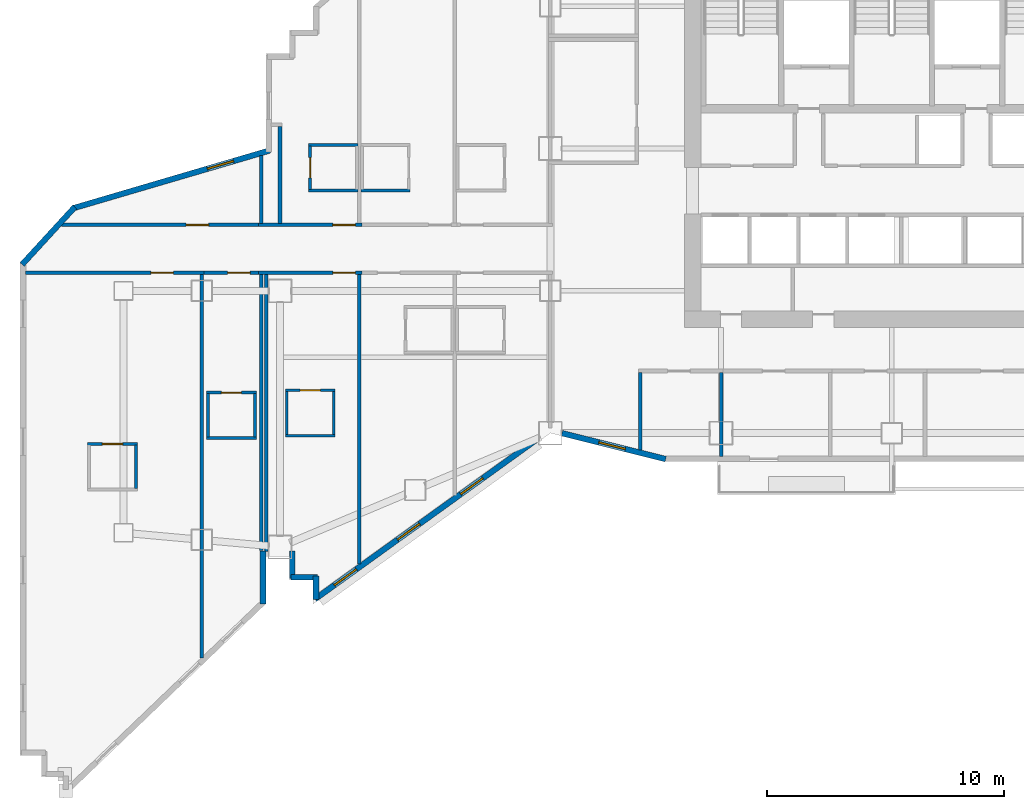
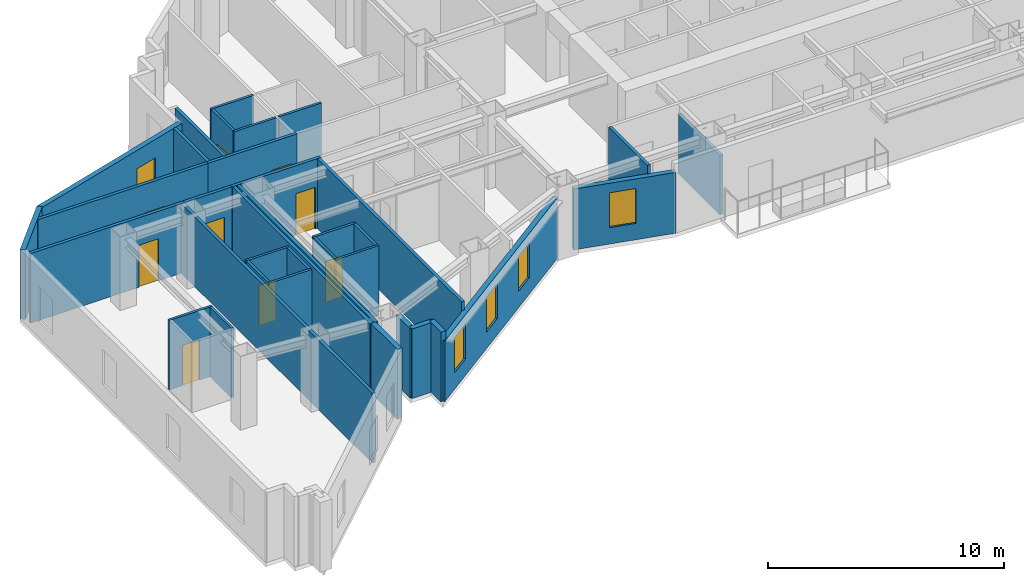
# One storey, part 6 of 16: 35 walls, 9 doors, 5 windows, 14 openings.
"""IFC4 building model written with IfcOpenShell, lengths in metres."""

from ifc_helpers import new_model, si_unit, direction, frame, frame_2d, origin, place, context, subcontext, project, spatial, rectangle, extrude, material, layer, layer_set, type_object, element, fill, save


model = new_model("IFC4")

# Units and contexts
model_context = context("Model", 3, precision=1e-05, world=origin(), true_north=direction((0.0, 1.0)))
body_context = subcontext(model_context, "Body", "Model", "MODEL_VIEW")
ifc_project = project(units=[si_unit("LENGTHUNIT", "METRE"), si_unit("AREAUNIT", "SQUARE_METRE"), si_unit("VOLUMEUNIT", "CUBIC_METRE"), si_unit("PLANEANGLEUNIT", "RADIAN"), si_unit("MASSUNIT", "GRAM", prefix="KILO")], contexts=[model_context])

# Site, building, storey
site_placement = place(None, origin())
site = spatial("IfcSite", under=ifc_project, at=site_placement, CompositionType="ELEMENT")
building_placement = place(site_placement, origin())
building = spatial("IfcBuilding", under=site, at=building_placement, Name="Haolan Belvedere Tower", CompositionType="ELEMENT")
storey_placement = place(building_placement, frame((0.0, 0.0, 125.0)))
storey = spatial("IfcBuildingStorey", under=building, at=storey_placement, Name="L31", CompositionType="ELEMENT", Elevation=125.0)

# Walls
ifc_material_1 = material(Name="Precast concrete C40/50", Category="concrete")
ifc_layer_1 = layer(ifc_material_1, 0.239990234375, Name="Precast concrete C40/50")
ifc_layer_set_1 = layer_set([ifc_layer_1], Name="Precast concrete C40/50")
wall_type_1 = type_object("IfcWallType", Name="WL-EXT-240", PredefinedType="SOLIDWALL", material=ifc_layer_set_1)
wall_1_placement = place(storey_placement, frame((13.1201171875, 16.639892578125, 0.0), z_axis=(0.0, 0.0, 1.0), x_axis=(0.0, -1.0, 0.0)))
element("IfcWall", 1, at=wall_1_placement, inside=storey, type_object=wall_type_1, Name="L31 pale-metal exterior spandrel wall 2.1", PredefinedType="SOLIDWALL", context=body_context, shape_type="SweptSolid", body=[
    extrude(rectangle(XDim=1.1748046875, YDim=0.239990234375, at=frame_2d((0.58740234375, 0.0))), origin(), (0.0, 0.0, 1.0), 3.60009765625),
])
wall_2_placement = place(storey_placement, frame((13.06494140625, 15.52001953125, 0.0), z_axis=(0.0, 0.0, 1.0), x_axis=(1.0, 0.0, 0.0)))
element("IfcWall", 2, at=wall_2_placement, inside=storey, type_object=wall_type_1, Name="L31 pale-metal exterior spandrel wall 3.1", PredefinedType="SOLIDWALL", context=body_context, shape_type="SweptSolid", body=[
    extrude(rectangle(XDim=1.110107421875, YDim=0.239990234375, at=frame_2d((0.55517578125, 0.0))), origin(), (0.0, 0.0, 1.0), 3.60009765625),
])
wall_3_placement = place(storey_placement, frame((14.1201171875, 15.574951171875, 0.0), z_axis=(0.0, 0.0, 1.0), x_axis=(0.0, -1.0, 0.0)))
element("IfcWall", 3, at=wall_3_placement, inside=storey, type_object=wall_type_1, Name="L31 pale-metal exterior spandrel wall 4.1", PredefinedType="SOLIDWALL", context=body_context, shape_type="SweptSolid", body=[
    extrude(rectangle(XDim=0.99560546875, YDim=0.239990234375, at=frame_2d((0.497802734375, 0.0))), origin(), (0.0, 0.0, 1.0), 3.60009765625),
])

# Wall, openings, windows
wall_4_placement = place(storey_placement, frame((14.075439453125, 14.602294921875, 0.0), z_axis=(0.0, 0.0, 1.0), x_axis=(0.811543504691, 0.584291998913, 0.0)))
wall_4 = element("IfcWall", 4, at=wall_4_placement, inside=storey, type_object=wall_type_1, Name="L31 pale-metal exterior spandrel wall 5.1", PredefinedType="SOLIDWALL", context=body_context, shape_type="SweptSolid", body=[
    extrude(rectangle(XDim=11.623046875, YDim=0.239990234375, at=frame_2d((5.8115234375, 0.0))), origin(), (0.0, 0.0, 1.0), 3.14501953125),
])
opening_1_placement = place(wall_4_placement, frame((1.00048828125, 0.0, 0.85009765625)))
opening_1 = element("IfcOpeningElement", 5, at=opening_1_placement, cuts=wall_4, Name="Opening W-02", PredefinedType="OPENING", context=body_context, shape_type="SweptSolid", body=[
    extrude(rectangle(XDim=1.14990234375, YDim=1.800048828125, at=frame_2d((0.574951171875, 0.89990234375))), frame((0.0, 0.1298828125, 0.0), z_axis=(0.0, -1.0, 0.0), x_axis=(1.0, 0.0, 0.0)), (0.0, 0.0, 1.0), 0.260009765625),
])
opening_2_placement = place(wall_4_placement, frame((7.57421875, 0.0, 0.85009765625)))
opening_2 = element("IfcOpeningElement", 6, at=opening_2_placement, cuts=wall_4, Name="Opening W-02", PredefinedType="OPENING", context=body_context, shape_type="SweptSolid", body=[
    extrude(rectangle(XDim=1.14990234375, YDim=1.800048828125, at=frame_2d((0.574951171875, 0.89990234375))), frame((0.0, 0.1298828125, 0.0), z_axis=(0.0, -1.0, 0.0), x_axis=(1.0, 0.0, 0.0)), (0.0, 0.0, 1.0), 0.260009765625),
])
opening_3_placement = place(wall_4_placement, frame((4.287353515625, 0.0, 0.85009765625)))
opening_3 = element("IfcOpeningElement", 7, at=opening_3_placement, cuts=wall_4, Name="Opening W-02", PredefinedType="OPENING", context=body_context, shape_type="SweptSolid", body=[
    extrude(rectangle(XDim=1.14990234375, YDim=1.800048828125, at=frame_2d((0.574951171875, 0.89990234375))), frame((0.0, 0.1298828125, 0.0), z_axis=(0.0, -1.0, 0.0), x_axis=(1.0, 0.0, 0.0)), (0.0, 0.0, 1.0), 0.260009765625),
])
ifc_material_2 = material(Name="Anodised aluminium 6063-T6 and Low-E glass", Category="aluminium")
window_type = type_object("IfcWindowType", Name="WN-DECO-Z2", PartitioningType="SINGLE_PANEL", PredefinedType="WINDOW", material=ifc_material_2)
window_1_placement = place(opening_1_placement, origin())
window_1 = element("IfcWindow", 8, at=window_1_placement, inside=storey, type_object=window_type, Name="L31 Art Deco chevron window 1", OverallHeight=1.800048828125, OverallWidth=1.14990234375, PartitioningType="SINGLE_PANEL", PredefinedType="WINDOW", context=body_context, shape_type="SweptSolid", body=[
    extrude(rectangle(XDim=1.14990234375, YDim=1.800048828125, at=frame_2d((0.574951171875, 0.89990234375))), frame((0.0, 0.030029296875, 0.0), z_axis=(0.0, -1.0, 0.0), x_axis=(1.0, 0.0, 0.0)), (0.0, 0.0, 1.0), 0.06005859375),
])
fill(opening_1, window_1)
window_2_placement = place(opening_2_placement, origin())
window_2 = element("IfcWindow", 9, at=window_2_placement, inside=storey, type_object=window_type, Name="L31 Art Deco chevron window 2", OverallHeight=1.800048828125, OverallWidth=1.14990234375, PartitioningType="SINGLE_PANEL", PredefinedType="WINDOW", context=body_context, shape_type="SweptSolid", body=[
    extrude(rectangle(XDim=1.14990234375, YDim=1.800048828125, at=frame_2d((0.574951171875, 0.89990234375))), frame((0.0, 0.030029296875, 0.0), z_axis=(0.0, -1.0, 0.0), x_axis=(1.0, 0.0, 0.0)), (0.0, 0.0, 1.0), 0.06005859375),
])
fill(opening_2, window_2)
window_3_placement = place(opening_3_placement, origin())
window_3 = element("IfcWindow", 10, at=window_3_placement, inside=storey, type_object=window_type, Name="L31 Art Deco guestroom window 1", OverallHeight=1.800048828125, OverallWidth=1.14990234375, PartitioningType="SINGLE_PANEL", PredefinedType="WINDOW", context=body_context, shape_type="SweptSolid", body=[
    extrude(rectangle(XDim=1.14990234375, YDim=1.800048828125, at=frame_2d((0.574951171875, 0.89990234375))), frame((0.0, 0.030029296875, 0.0), z_axis=(0.0, -1.0, 0.0), x_axis=(1.0, 0.0, 0.0)), (0.0, 0.0, 1.0), 0.06005859375),
])
fill(opening_3, window_3)

# Wall, opening, window
wall_5_placement = place(storey_placement, frame((24.491943359375, 21.6005859375, 0.0), z_axis=(0.0, 0.0, 1.0), x_axis=(0.970145683738, -0.242522890311, 0.0)))
wall_5 = element("IfcWall", 11, at=wall_5_placement, inside=storey, type_object=wall_type_1, Name="L31 pale-metal exterior spandrel wall 6.1", PredefinedType="SOLIDWALL", context=body_context, shape_type="SweptSolid", body=[
    extrude(rectangle(XDim=4.510986328125, YDim=0.239990234375, at=frame_2d((2.25537109375, 0.0))), origin(), (0.0, 0.0, 1.0), 3.14501953125),
])
opening_4_placement = place(wall_5_placement, frame((1.60009765625, 0.0, 0.85009765625)))
opening_4 = element("IfcOpeningElement", 12, at=opening_4_placement, cuts=wall_5, Name="Opening W-02", PredefinedType="OPENING", context=body_context, shape_type="SweptSolid", body=[
    extrude(rectangle(XDim=1.14990234375, YDim=1.800048828125, at=frame_2d((0.574951171875, 0.89990234375))), frame((0.0, 0.1298828125, 0.0), z_axis=(0.0, -1.0, 0.0), x_axis=(1.0, 0.0, 0.0)), (0.0, 0.0, 1.0), 0.260009765625),
])
window_4_placement = place(opening_4_placement, origin())
window_4 = element("IfcWindow", 13, at=window_4_placement, inside=storey, type_object=window_type, Name="L31 Art Deco chevron window 1", OverallHeight=1.800048828125, OverallWidth=1.14990234375, PartitioningType="SINGLE_PANEL", PredefinedType="WINDOW", context=body_context, shape_type="SweptSolid", body=[
    extrude(rectangle(XDim=1.14990234375, YDim=1.800048828125, at=frame_2d((0.574951171875, 0.89990234375))), frame((0.0, 0.030029296875, 0.0), z_axis=(0.0, -1.0, 0.0), x_axis=(1.0, 0.0, 0.0)), (0.0, 0.0, 1.0), 0.06005859375),
])
fill(opening_4, window_4)

wall_6_placement = place(storey_placement, frame((12.1728515625, 33.525634765625, 0.0), z_axis=(0.0, 0.0, 1.0), x_axis=(-0.959372673811, -0.28214193723, 0.0)))
wall_6 = element("IfcWall", 14, at=wall_6_placement, inside=storey, type_object=wall_type_1, Name="L31 pale-metal exterior spandrel wall 42.1", PredefinedType="SOLIDWALL", context=body_context, shape_type="SweptSolid", body=[
    extrude(rectangle(XDim=8.672119140625, YDim=0.239990234375, at=frame_2d((4.3359375, 0.0))), origin(), (0.0, 0.0, 1.0), 3.60009765625),
])
opening_5_placement = place(wall_6_placement, frame((1.60009765625, 0.0, 0.85009765625)))
opening_5 = element("IfcOpeningElement", 15, at=opening_5_placement, cuts=wall_6, Name="Opening W-02", PredefinedType="OPENING", context=body_context, shape_type="SweptSolid", body=[
    extrude(rectangle(XDim=1.14990234375, YDim=1.800048828125, at=frame_2d((0.574951171875, 0.89990234375))), frame((0.0, 0.1298828125, 0.0), z_axis=(0.0, -1.0, 0.0), x_axis=(1.0, 0.0, 0.0)), (0.0, 0.0, 1.0), 0.260009765625),
])
window_5_placement = place(opening_5_placement, origin())
window_5 = element("IfcWindow", 16, at=window_5_placement, inside=storey, type_object=window_type, Name="L31 Art Deco chevron window 1", OverallHeight=1.800048828125, OverallWidth=1.14990234375, PartitioningType="SINGLE_PANEL", PredefinedType="WINDOW", context=body_context, shape_type="SweptSolid", body=[
    extrude(rectangle(XDim=1.14990234375, YDim=1.800048828125, at=frame_2d((0.574951171875, 0.89990234375))), frame((0.0, 0.030029296875, 0.0), z_axis=(0.0, -1.0, 0.0), x_axis=(1.0, 0.0, 0.0)), (0.0, 0.0, 1.0), 0.06005859375),
])
fill(opening_5, window_5)

# Walls
wall_7_placement = place(storey_placement, frame((3.943115234375, 31.134765625, 0.0), z_axis=(0.0, 0.0, 1.0), x_axis=(-0.675751546976, -0.737129464042, 0.0)))
element("IfcWall", 17, at=wall_7_placement, inside=storey, type_object=wall_type_1, Name="L31 pale-metal exterior spandrel wall 43.1", PredefinedType="SOLIDWALL", context=body_context, shape_type="SweptSolid", body=[
    extrude(rectangle(XDim=3.28564453125, YDim=0.239990234375, at=frame_2d((1.642822265625, 0.0))), origin(), (0.0, 0.0, 1.0), 3.60009765625),
])
wall_8_placement = place(storey_placement, frame((11.8798828125, 14.396240234375, 0.0), z_axis=(0.0, 0.0, 1.0), x_axis=(0.0, 1.0, 0.0)))
element("IfcWall", 18, at=wall_8_placement, inside=storey, type_object=wall_type_1, Name="L31 pale-metal exterior spandrel wall 50.1", PredefinedType="SOLIDWALL", context=body_context, shape_type="SweptSolid", body=[
    extrude(rectangle(XDim=2.24365234375, YDim=0.239990234375, at=frame_2d((1.121826171875, 0.0))), origin(), (0.0, 0.0, 1.0), 3.60009765625),
])
ifc_material_3 = material(Name="Double gypsum acoustic stud partition", Category="masonry")
ifc_layer_2 = layer(ifc_material_3, 0.14990234375, Name="Double gypsum acoustic stud partition")
ifc_layer_set_2 = layer_set([ifc_layer_2], Name="Double gypsum acoustic stud partition")
wall_type_2 = type_object("IfcWallType", Name="WL-PART-150", PredefinedType="PARTITIONING", material=ifc_layer_set_2)
wall_9_placement = place(storey_placement, frame((27.800048828125, 20.882080078125, 0.0), z_axis=(0.0, 0.0, 1.0), x_axis=(0.0, 1.0, 0.0)))
element("IfcWall", 19, at=wall_9_placement, inside=storey, type_object=wall_type_2, Name="L31 interior partition IW-L31-KS2-W", PredefinedType="PARTITIONING", context=body_context, shape_type="SweptSolid", body=[
    extrude(rectangle(XDim=3.27783203125, YDim=0.14990234375, at=frame_2d((1.638916015625, 0.0))), origin(), (0.0, 0.0, 1.0), 3.60009765625),
])
wall_10_placement = place(storey_placement, frame((31.199951171875, 20.625, 0.0), z_axis=(0.0, 0.0, 1.0), x_axis=(0.0, 1.0, 0.0)))
element("IfcWall", 20, at=wall_10_placement, inside=storey, type_object=wall_type_2, Name="L31 interior partition IW-L31-KS2-E", PredefinedType="PARTITIONING", context=body_context, shape_type="SweptSolid", body=[
    extrude(rectangle(XDim=3.534912109375, YDim=0.14990234375, at=frame_2d((1.767578125, 0.0))), origin(), (0.0, 0.0, 1.0), 3.0849609375),
])

# Wall, opening, door
wall_11_placement = place(storey_placement, frame((11.699951171875, 30.3798828125, 0.0), z_axis=(0.0, 0.0, 1.0), x_axis=(1.0, 0.0, 0.0)))
wall_11 = element("IfcWall", 21, at=wall_11_placement, inside=storey, type_object=wall_type_2, Name="L31 interior partition IW-L31-T2N1-S", PredefinedType="PARTITIONING", context=body_context, shape_type="SweptSolid", body=[
    extrude(rectangle(XDim=4.35009765625, YDim=0.14990234375, at=frame_2d((2.175048828125, 0.0))), origin(), (0.0, 0.0, 1.0), 3.60009765625),
])
opening_6_placement = place(wall_11_placement, frame((3.1298828125, 0.0, 0.0)))
opening_6 = element("IfcOpeningElement", 22, at=opening_6_placement, cuts=wall_11, Name="Opening ID-02", PredefinedType="OPENING", context=body_context, shape_type="SweptSolid", body=[
    extrude(rectangle(XDim=0.949951171875, YDim=2.14990234375, at=frame_2d((0.47509765625, 1.074951171875))), frame((0.0, 0.0849609375, 0.0), z_axis=(0.0, -1.0, 0.0), x_axis=(1.0, 0.0, 0.0)), (0.0, 0.0, 1.0), 0.169921875),
])
ifc_material_4 = material(Name="Acoustic oak veneer fire-rated timber", Category="wood")
door_type_1 = type_object("IfcDoorType", Name="DR-GUEST-950", OperationType="NOTDEFINED", PredefinedType="DOOR", material=ifc_material_4)
door_1_placement = place(opening_6_placement, origin())
door_1 = element("IfcDoor", 23, at=door_1_placement, inside=storey, type_object=door_type_1, Name="L31 door ID-L31-T2N1-ENT", OperationType="SINGLE_SWING_RIGHT", OverallHeight=2.14990234375, OverallWidth=0.949951171875, PredefinedType="DOOR", context=body_context, shape_type="SweptSolid", body=[
    extrude(rectangle(XDim=0.949951171875, YDim=2.14990234375, at=frame_2d((0.47509765625, 1.074951171875))), frame((0.0, 0.02490234375, 0.0), z_axis=(0.0, -1.0, 0.0), x_axis=(1.0, 0.0, 0.0)), (0.0, 0.0, 1.0), 0.050048828125),
])
fill(opening_6, door_1)

# Wall
wall_12_placement = place(storey_placement, frame((11.800048828125, 30.43994140625, 0.0), z_axis=(0.0, 0.0, 1.0), x_axis=(0.0, 1.0, 0.0)))
element("IfcWall", 24, at=wall_12_placement, inside=storey, type_object=wall_type_2, Name="L31 interior partition IW-L31-T2N1-W", PredefinedType="PARTITIONING", context=body_context, shape_type="SweptSolid", body=[
    extrude(rectangle(XDim=2.86669921875, YDim=0.14990234375, at=frame_2d((1.433349609375, 0.0))), origin(), (0.0, 0.0, 1.0), 3.60009765625),
])

# Wall, opening, door
wall_13_placement = place(storey_placement, frame((11.699951171875, 28.3701171875, 0.0), z_axis=(0.0, 0.0, 1.0), x_axis=(1.0, 0.0, 0.0)))
wall_13 = element("IfcWall", 25, at=wall_13_placement, inside=storey, type_object=wall_type_2, Name="L31 interior partition IW-L31-T2S1-N", PredefinedType="PARTITIONING", context=body_context, shape_type="SweptSolid", body=[
    extrude(rectangle(XDim=4.35009765625, YDim=0.14990234375, at=frame_2d((2.175048828125, 0.0))), origin(), (0.0, 0.0, 1.0), 3.60009765625),
])
opening_7_placement = place(wall_13_placement, frame((4.079833984375, 0.0, 0.0), z_axis=(0.0, 0.0, 1.0), x_axis=(-1.0, 0.0, 0.0)))
opening_7 = element("IfcOpeningElement", 26, at=opening_7_placement, cuts=wall_13, Name="Opening ID-02", PredefinedType="OPENING", context=body_context, shape_type="SweptSolid", body=[
    extrude(rectangle(XDim=0.949951171875, YDim=2.14990234375, at=frame_2d((0.47509765625, 1.074951171875))), frame((0.0, 0.0849609375, 0.0), z_axis=(0.0, -1.0, 0.0), x_axis=(1.0, 0.0, 0.0)), (0.0, 0.0, 1.0), 0.169921875),
])
door_2_placement = place(opening_7_placement, origin())
door_2 = element("IfcDoor", 27, at=door_2_placement, inside=storey, type_object=door_type_1, Name="L31 door ID-L31-T2S1-ENT", OperationType="SINGLE_SWING_LEFT", OverallHeight=2.14990234375, OverallWidth=0.949951171875, PredefinedType="DOOR", context=body_context, shape_type="SweptSolid", body=[
    extrude(rectangle(XDim=0.949951171875, YDim=2.14990234375, at=frame_2d((0.47509765625, 1.074951171875))), frame((0.0, 0.02490234375, 0.0), z_axis=(0.0, -1.0, 0.0), x_axis=(1.0, 0.0, 0.0)), (0.0, 0.0, 1.0), 0.050048828125),
])
fill(opening_7, door_2)

# Walls
wall_14_placement = place(storey_placement, frame((11.800048828125, 16.64208984375, 0.0), z_axis=(0.0, 0.0, 1.0), x_axis=(0.0, 1.0, 0.0)))
element("IfcWall", 28, at=wall_14_placement, inside=storey, type_object=wall_type_2, Name="L31 interior partition IW-L31-T2S1-W", PredefinedType="PARTITIONING", context=body_context, shape_type="SweptSolid", body=[
    extrude(rectangle(XDim=11.66796875, YDim=0.14990234375, at=frame_2d((5.833984375, 0.0))), origin(), (0.0, 0.0, 1.0), 3.60009765625),
])
wall_15_placement = place(storey_placement, frame((15.949951171875, 16.081298828125, 0.0), z_axis=(0.0, 0.0, 1.0), x_axis=(0.0, 1.0, 0.0)))
element("IfcWall", 29, at=wall_15_placement, inside=storey, type_object=wall_type_2, Name="L31 interior partition IW-L31-T2S1-E", PredefinedType="PARTITIONING", context=body_context, shape_type="SweptSolid", body=[
    extrude(rectangle(XDim=12.228759765625, YDim=0.14990234375, at=frame_2d((6.1142578125, 0.0))), origin(), (0.0, 0.0, 1.0), 3.60009765625),
])

# Wall, opening, door
wall_16_placement = place(storey_placement, frame((1.864990234375, 28.3701171875, 0.0), z_axis=(0.0, 0.0, 1.0), x_axis=(1.0, 0.0, 0.0)))
wall_16 = element("IfcWall", 30, at=wall_16_placement, inside=storey, type_object=wall_type_2, Name="L31 interior partition IW-L31-T1S1-N", PredefinedType="PARTITIONING", context=body_context, shape_type="SweptSolid", body=[
    extrude(rectangle(XDim=7.534912109375, YDim=0.14990234375, at=frame_2d((3.767578125, 0.0))), origin(), (0.0, 0.0, 1.0), 3.60009765625),
])
opening_8_placement = place(wall_16_placement, frame((6.2412109375, 0.0, 0.0), z_axis=(0.0, 0.0, 1.0), x_axis=(-1.0, 0.0, 0.0)))
opening_8 = element("IfcOpeningElement", 31, at=opening_8_placement, cuts=wall_16, Name="Opening ID-01", PredefinedType="OPENING", context=body_context, shape_type="SweptSolid", body=[
    extrude(rectangle(XDim=0.949951171875, YDim=2.179931640625, at=frame_2d((0.47509765625, 1.08984375))), frame((0.0, 0.0849609375, 0.0), z_axis=(0.0, -1.0, 0.0), x_axis=(1.0, 0.0, 0.0)), (0.0, 0.0, 1.0), 0.169921875),
])
ifc_material_5 = material(Name="Acoustic walnut veneer fire-rated timber", Category="wood")
door_type_2 = type_object("IfcDoorType", Name="DR-SUITE-950", OperationType="NOTDEFINED", PredefinedType="DOOR", material=ifc_material_5)
door_3_placement = place(opening_8_placement, origin())
door_3 = element("IfcDoor", 32, at=door_3_placement, inside=storey, type_object=door_type_2, Name="L31 door ID-L31-T1S1-ENT", OperationType="SINGLE_SWING_RIGHT", OverallHeight=2.179931640625, OverallWidth=0.949951171875, PredefinedType="DOOR", context=body_context, shape_type="SweptSolid", body=[
    extrude(rectangle(XDim=0.949951171875, YDim=2.179931640625, at=frame_2d((0.47509765625, 1.08984375))), frame((0.0, 0.02490234375, 0.0), z_axis=(0.0, -1.0, 0.0), x_axis=(1.0, 0.0, 0.0)), (0.0, 0.0, 1.0), 0.050048828125),
])
fill(opening_8, door_3)

# Wall
wall_17_placement = place(storey_placement, frame((9.300048828125, 12.12451171875, 0.0), z_axis=(0.0, 0.0, 1.0), x_axis=(0.0, 1.0, 0.0)))
element("IfcWall", 33, at=wall_17_placement, inside=storey, type_object=wall_type_2, Name="L31 interior partition IW-L31-T1S1-E", PredefinedType="PARTITIONING", context=body_context, shape_type="SweptSolid", body=[
    extrude(rectangle(XDim=16.185546875, YDim=0.14990234375, at=frame_2d((8.0927734375, 0.0))), origin(), (0.0, 0.0, 1.0), 3.60009765625),
])

# Wall, opening, door
wall_18_placement = place(storey_placement, frame((9.402099609375, 28.3701171875, 0.0), z_axis=(0.0, 0.0, 1.0), x_axis=(1.0, 0.0, 0.0)))
wall_18 = element("IfcWall", 34, at=wall_18_placement, inside=storey, type_object=wall_type_2, Name="L31 interior partition IW-L31-T1S2-N", PredefinedType="PARTITIONING", context=body_context, shape_type="SweptSolid", body=[
    extrude(rectangle(XDim=2.2958984375, YDim=0.14990234375, at=frame_2d((1.14794921875, 0.0))), origin(), (0.0, 0.0, 1.0), 3.60009765625),
])
opening_9_placement = place(wall_18_placement, frame((1.93408203125, 0.0, 0.0), z_axis=(0.0, 0.0, 1.0), x_axis=(-1.0, 0.0, 0.0)))
opening_9 = element("IfcOpeningElement", 35, at=opening_9_placement, cuts=wall_18, Name="Opening ID-02", PredefinedType="OPENING", context=body_context, shape_type="SweptSolid", body=[
    extrude(rectangle(XDim=0.949951171875, YDim=2.14990234375, at=frame_2d((0.47509765625, 1.074951171875))), frame((0.0, 0.0849609375, 0.0), z_axis=(0.0, -1.0, 0.0), x_axis=(1.0, 0.0, 0.0)), (0.0, 0.0, 1.0), 0.169921875),
])
door_4_placement = place(opening_9_placement, origin())
door_4 = element("IfcDoor", 36, at=door_4_placement, inside=storey, type_object=door_type_1, Name="L31 door ID-L31-T1S2-ENT", OperationType="SINGLE_SWING_LEFT", OverallHeight=2.14990234375, OverallWidth=0.949951171875, PredefinedType="DOOR", context=body_context, shape_type="SweptSolid", body=[
    extrude(rectangle(XDim=0.949951171875, YDim=2.14990234375, at=frame_2d((0.47509765625, 1.074951171875))), frame((0.0, 0.02490234375, 0.0), z_axis=(0.0, -1.0, 0.0), x_axis=(1.0, 0.0, 0.0)), (0.0, 0.0, 1.0), 0.050048828125),
])
fill(opening_9, door_4)

# Wall
wall_19_placement = place(storey_placement, frame((12.02001953125, 16.612060546875, 0.0), z_axis=(0.0, 0.0, 1.0), x_axis=(0.0, 1.0, 0.0)))
element("IfcWall", 37, at=wall_19_placement, inside=storey, type_object=wall_type_2, Name="L31 interior partition IW-L31-T1S2-E", PredefinedType="PARTITIONING", context=body_context, shape_type="SweptSolid", body=[
    extrude(rectangle(XDim=11.697998046875, YDim=0.14990234375, at=frame_2d((5.84912109375, 0.0))), origin(), (0.0, 0.0, 1.0), 3.60009765625),
])

# Wall, opening, door
wall_20_placement = place(storey_placement, frame((3.3935546875, 30.3798828125, 0.0), z_axis=(0.0, 0.0, 1.0), x_axis=(1.0, 0.0, 0.0)))
wall_20 = element("IfcWall", 38, at=wall_20_placement, inside=storey, type_object=wall_type_2, Name="L31 interior partition IW-L31-T1N1-S", PredefinedType="PARTITIONING", context=body_context, shape_type="SweptSolid", body=[
    extrude(rectangle(XDim=8.304443359375, YDim=0.14990234375, at=frame_2d((4.15234375, 0.0))), origin(), (0.0, 0.0, 1.0), 3.60009765625),
])
opening_10_placement = place(wall_20_placement, frame((5.243896484375, 0.0, 0.0)))
opening_10 = element("IfcOpeningElement", 39, at=opening_10_placement, cuts=wall_20, Name="Opening ID-03", PredefinedType="OPENING", context=body_context, shape_type="SweptSolid", body=[
    extrude(rectangle(XDim=0.949951171875, YDim=2.1201171875, at=frame_2d((0.47509765625, 1.06005859375))), frame((0.0, 0.0849609375, 0.0), z_axis=(0.0, -1.0, 0.0), x_axis=(1.0, 0.0, 0.0)), (0.0, 0.0, 1.0), 0.169921875),
])
ifc_material_6 = material(Name="Painted solid-core timber", Category="wood")
door_type_3 = type_object("IfcDoorType", Name="DR-INT-950", OperationType="NOTDEFINED", PredefinedType="DOOR", material=ifc_material_6)
door_5_placement = place(opening_10_placement, origin())
door_5 = element("IfcDoor", 40, at=door_5_placement, inside=storey, type_object=door_type_3, Name="L31 door ID-L31-T1N1", OperationType="SINGLE_SWING_RIGHT", OverallHeight=2.1201171875, OverallWidth=0.949951171875, PredefinedType="DOOR", context=body_context, shape_type="SweptSolid", body=[
    extrude(rectangle(XDim=0.949951171875, YDim=2.1201171875, at=frame_2d((0.47509765625, 1.06005859375))), frame((0.0, 0.02490234375, 0.0), z_axis=(0.0, -1.0, 0.0), x_axis=(1.0, 0.0, 0.0)), (0.0, 0.0, 1.0), 0.050048828125),
])
fill(opening_10, door_5)

# Walls
wall_21_placement = place(storey_placement, frame((12.60009765625, 30.43994140625, 0.0), z_axis=(0.0, 0.0, 1.0), x_axis=(0.0, 1.0, 0.0)))
element("IfcWall", 41, at=wall_21_placement, inside=storey, type_object=wall_type_2, Name="L31 interior partition IW-L31-T1N1-E", PredefinedType="PARTITIONING", context=body_context, shape_type="SweptSolid", body=[
    extrude(rectangle(XDim=4.10009765625, YDim=0.14990234375, at=frame_2d((2.050048828125, 0.0))), origin(), (0.0, 0.0, 1.0), 3.60009765625),
])
ifc_material_7 = material(Name="Moisture-resistant gypsum tile partition", Category="masonry")
ifc_layer_3 = layer(ifc_material_7, 0.1201171875, Name="Moisture-resistant gypsum tile partition")
ifc_layer_set_3 = layer_set([ifc_layer_3], Name="Moisture-resistant gypsum tile partition")
wall_type_3 = type_object("IfcWallType", Name="WL-WET-120", PredefinedType="PARTITIONING", material=ifc_layer_set_3)
for number, where, z_axis, x_axis, name in (
    (42, (13.81005859375, 33.75, 0.0), (0.0, 0.0, 1.0), (1.0, 0.0, 0.0), "L31 interior partition IW-L31-T2N1-BN"),
    (43, (13.81005859375, 31.830078125, 0.0), (0.0, 0.0, 1.0), (1.0, 0.0, 0.0), "L31 interior partition IW-L31-T2N1-BS"),
):
    element("IfcWall", number, at=place(storey_placement, frame(where, z_axis=z_axis, x_axis=x_axis)), inside=storey, type_object=wall_type_3, Name=name, PredefinedType="PARTITIONING", context=body_context, shape_type="SweptSolid", body=[
        extrude(rectangle(XDim=2.079833984375, YDim=0.1201171875, at=frame_2d((1.0400390625, 0.0))), origin(), (0.0, 0.0, 1.0), 3.60009765625),
    ])

# Wall, opening, door
wall_22_placement = place(storey_placement, frame((13.8701171875, 31.875, 0.0), z_axis=(0.0, 0.0, 1.0), x_axis=(0.0, 1.0, 0.0)))
wall_22 = element("IfcWall", 44, at=wall_22_placement, inside=storey, type_object=wall_type_3, Name="L31 interior partition IW-L31-T2N1-BW", PredefinedType="PARTITIONING", context=body_context, shape_type="SweptSolid", body=[
    extrude(rectangle(XDim=1.830078125, YDim=0.1201171875, at=frame_2d((0.9150390625, 0.0))), origin(), (0.0, 0.0, 1.0), 3.60009765625),
])
opening_11_placement = place(wall_22_placement, frame((1.340087890625, 0.0, 0.0), z_axis=(0.0, 0.0, 1.0), x_axis=(-1.0, 0.0, 0.0)))
opening_11 = element("IfcOpeningElement", 45, at=opening_11_placement, cuts=wall_22, Name="Opening ID-05", PredefinedType="OPENING", context=body_context, shape_type="SweptSolid", body=[
    extrude(rectangle(XDim=0.85009765625, YDim=2.10009765625, at=frame_2d((0.425048828125, 1.050048828125))), frame((0.0, 0.070068359375, 0.0), z_axis=(0.0, -1.0, 0.0), x_axis=(1.0, 0.0, 0.0)), (0.0, 0.0, 1.0), 0.14013671875),
])
ifc_material_8 = material(Name="Moisture-resistant lacquered timber", Category="wood")
door_type_4 = type_object("IfcDoorType", Name="DR-BATH-850", OperationType="NOTDEFINED", PredefinedType="DOOR", material=ifc_material_8)
door_6_placement = place(opening_11_placement, origin())
door_6 = element("IfcDoor", 46, at=door_6_placement, inside=storey, type_object=door_type_4, Name="L31 door ID-L31-T2N1-BATH", OperationType="SINGLE_SWING_LEFT", OverallHeight=2.10009765625, OverallWidth=0.85009765625, PredefinedType="DOOR", context=body_context, shape_type="SweptSolid", body=[
    extrude(rectangle(XDim=0.85009765625, YDim=2.10009765625, at=frame_2d((0.425048828125, 1.050048828125))), frame((0.0, 0.02490234375, 0.0), z_axis=(0.0, -1.0, 0.0), x_axis=(1.0, 0.0, 0.0)), (0.0, 0.0, 1.0), 0.050048828125),
])
fill(opening_11, door_6)

# Wall
wall_23_placement = place(storey_placement, frame((16.010009765625, 31.830078125, 0.0), z_axis=(0.0, 0.0, 1.0), x_axis=(1.0, 0.0, 0.0)))
element("IfcWall", 47, at=wall_23_placement, inside=storey, type_object=wall_type_3, Name="L31 interior partition IW-L31-T2N2-BS", PredefinedType="PARTITIONING", context=body_context, shape_type="SweptSolid", body=[
    extrude(rectangle(XDim=2.080078125, YDim=0.1201171875, at=frame_2d((1.0400390625, 0.0))), origin(), (0.0, 0.0, 1.0), 3.60009765625),
])

# Wall, opening, door
wall_24_placement = place(storey_placement, frame((12.824951171875, 23.409912109375, 0.0), z_axis=(0.0, 0.0, 1.0), x_axis=(1.0, 0.0, 0.0)))
wall_24 = element("IfcWall", 48, at=wall_24_placement, inside=storey, type_object=wall_type_3, Name="L31 interior partition IW-L31-T2S1-BN", PredefinedType="PARTITIONING", context=body_context, shape_type="SweptSolid", body=[
    extrude(rectangle(XDim=2.10009765625, YDim=0.1201171875, at=frame_2d((1.050048828125, 0.0))), origin(), (0.0, 0.0, 1.0), 3.60009765625),
])
opening_12_placement = place(wall_24_placement, frame((1.47509765625, 0.0, 0.0), z_axis=(0.0, 0.0, 1.0), x_axis=(-1.0, 0.0, 0.0)))
opening_12 = element("IfcOpeningElement", 49, at=opening_12_placement, cuts=wall_24, Name="Opening ID-05", PredefinedType="OPENING", context=body_context, shape_type="SweptSolid", body=[
    extrude(rectangle(XDim=0.85009765625, YDim=2.10009765625, at=frame_2d((0.425048828125, 1.050048828125))), frame((0.0, 0.070068359375, 0.0), z_axis=(0.0, -1.0, 0.0), x_axis=(1.0, 0.0, 0.0)), (0.0, 0.0, 1.0), 0.14013671875),
])
door_7_placement = place(opening_12_placement, origin())
door_7 = element("IfcDoor", 50, at=door_7_placement, inside=storey, type_object=door_type_4, Name="L31 door ID-L31-T2S1-BATH", OperationType="SINGLE_SWING_RIGHT", OverallHeight=2.10009765625, OverallWidth=0.85009765625, PredefinedType="DOOR", context=body_context, shape_type="SweptSolid", body=[
    extrude(rectangle(XDim=0.85009765625, YDim=2.10009765625, at=frame_2d((0.425048828125, 1.050048828125))), frame((0.0, 0.02490234375, 0.0), z_axis=(0.0, -1.0, 0.0), x_axis=(1.0, 0.0, 0.0)), (0.0, 0.0, 1.0), 0.050048828125),
])
fill(opening_12, door_7)

# Walls
wall_25_placement = place(storey_placement, frame((12.824951171875, 21.489990234375, 0.0), z_axis=(0.0, 0.0, 1.0), x_axis=(1.0, 0.0, 0.0)))
element("IfcWall", 51, at=wall_25_placement, inside=storey, type_object=wall_type_3, Name="L31 interior partition IW-L31-T2S1-BS", PredefinedType="PARTITIONING", context=body_context, shape_type="SweptSolid", body=[
    extrude(rectangle(XDim=2.10009765625, YDim=0.1201171875, at=frame_2d((1.050048828125, 0.0))), origin(), (0.0, 0.0, 1.0), 3.60009765625),
])
for number, where, z_axis, x_axis, name in (
    (52, (12.885009765625, 21.534912109375, 0.0), (0.0, 0.0, 1.0), (0.0, 1.0, 0.0), "L31 interior partition IW-L31-T2S1-BW"),
    (53, (14.864990234375, 21.534912109375, 0.0), (0.0, 0.0, 1.0), (0.0, 1.0, 0.0), "L31 interior partition IW-L31-T2S1-BE"),
):
    element("IfcWall", number, at=place(storey_placement, frame(where, z_axis=z_axis, x_axis=x_axis)), inside=storey, type_object=wall_type_3, Name=name, PredefinedType="PARTITIONING", context=body_context, shape_type="SweptSolid", body=[
        extrude(rectangle(XDim=1.830078125, YDim=0.1201171875, at=frame_2d((0.9150390625, 0.0))), origin(), (0.0, 0.0, 1.0), 3.60009765625),
    ])

# Wall, opening, door
wall_26_placement = place(storey_placement, frame((4.485107421875, 21.14111328125, 0.0), z_axis=(0.0, 0.0, 1.0), x_axis=(1.0, 0.0, 0.0)))
wall_26 = element("IfcWall", 54, at=wall_26_placement, inside=storey, type_object=wall_type_3, Name="L31 interior partition IW-L31-T1S1-BN", PredefinedType="PARTITIONING", context=body_context, shape_type="SweptSolid", body=[
    extrude(rectangle(XDim=2.099853515625, YDim=0.1201171875, at=frame_2d((1.0498046875, 0.0))), origin(), (0.0, 0.0, 1.0), 3.60009765625),
])
opening_13_placement = place(wall_26_placement, frame((1.47509765625, 0.0, 0.0), z_axis=(0.0, 0.0, 1.0), x_axis=(-1.0, 0.0, 0.0)))
opening_13 = element("IfcOpeningElement", 55, at=opening_13_placement, cuts=wall_26, Name="Opening ID-05", PredefinedType="OPENING", context=body_context, shape_type="SweptSolid", body=[
    extrude(rectangle(XDim=0.85009765625, YDim=2.10009765625, at=frame_2d((0.425048828125, 1.050048828125))), frame((0.0, 0.070068359375, 0.0), z_axis=(0.0, -1.0, 0.0), x_axis=(1.0, 0.0, 0.0)), (0.0, 0.0, 1.0), 0.14013671875),
])
door_8_placement = place(opening_13_placement, origin())
door_8 = element("IfcDoor", 56, at=door_8_placement, inside=storey, type_object=door_type_4, Name="L31 door ID-L31-T1S1-BATH", OperationType="SINGLE_SWING_LEFT", OverallHeight=2.10009765625, OverallWidth=0.85009765625, PredefinedType="DOOR", context=body_context, shape_type="SweptSolid", body=[
    extrude(rectangle(XDim=0.85009765625, YDim=2.10009765625, at=frame_2d((0.425048828125, 1.050048828125))), frame((0.0, 0.02490234375, 0.0), z_axis=(0.0, -1.0, 0.0), x_axis=(1.0, 0.0, 0.0)), (0.0, 0.0, 1.0), 0.050048828125),
])
fill(opening_13, door_8)

# Wall
wall_27_placement = place(storey_placement, frame((6.52490234375, 19.26611328125, 0.0), z_axis=(0.0, 0.0, 1.0), x_axis=(0.0, 1.0, 0.0)))
element("IfcWall", 57, at=wall_27_placement, inside=storey, type_object=wall_type_3, Name="L31 interior partition IW-L31-T1S1-BE", PredefinedType="PARTITIONING", context=body_context, shape_type="SweptSolid", body=[
    extrude(rectangle(XDim=1.829833984375, YDim=0.1201171875, at=frame_2d((0.9150390625, 0.0))), origin(), (0.0, 0.0, 1.0), 3.60009765625),
])

# Wall, opening, door
wall_28_placement = place(storey_placement, frame((9.5, 23.31005859375, 0.0), z_axis=(0.0, 0.0, 1.0), x_axis=(1.0, 0.0, 0.0)))
wall_28 = element("IfcWall", 58, at=wall_28_placement, inside=storey, type_object=wall_type_3, Name="L31 interior partition IW-L31-T1S2-BN", PredefinedType="PARTITIONING", context=body_context, shape_type="SweptSolid", body=[
    extrude(rectangle(XDim=2.10009765625, YDim=0.1201171875, at=frame_2d((1.050048828125, 0.0))), origin(), (0.0, 0.0, 1.0), 3.60009765625),
])
opening_14_placement = place(wall_28_placement, frame((1.47509765625, 0.0, 0.0), z_axis=(0.0, 0.0, 1.0), x_axis=(-1.0, 0.0, 0.0)))
opening_14 = element("IfcOpeningElement", 59, at=opening_14_placement, cuts=wall_28, Name="Opening ID-05", PredefinedType="OPENING", context=body_context, shape_type="SweptSolid", body=[
    extrude(rectangle(XDim=0.85009765625, YDim=2.10009765625, at=frame_2d((0.425048828125, 1.050048828125))), frame((0.0, 0.070068359375, 0.0), z_axis=(0.0, -1.0, 0.0), x_axis=(1.0, 0.0, 0.0)), (0.0, 0.0, 1.0), 0.14013671875),
])
door_9_placement = place(opening_14_placement, origin())
door_9 = element("IfcDoor", 60, at=door_9_placement, inside=storey, type_object=door_type_4, Name="L31 door ID-L31-T1S2-BATH", OperationType="SINGLE_SWING_RIGHT", OverallHeight=2.10009765625, OverallWidth=0.85009765625, PredefinedType="DOOR", context=body_context, shape_type="SweptSolid", body=[
    extrude(rectangle(XDim=0.85009765625, YDim=2.10009765625, at=frame_2d((0.425048828125, 1.050048828125))), frame((0.0, 0.02490234375, 0.0), z_axis=(0.0, -1.0, 0.0), x_axis=(1.0, 0.0, 0.0)), (0.0, 0.0, 1.0), 0.050048828125),
])
fill(opening_14, door_9)

# Walls
wall_29_placement = place(storey_placement, frame((9.5, 21.389892578125, 0.0), z_axis=(0.0, 0.0, 1.0), x_axis=(1.0, 0.0, 0.0)))
element("IfcWall", 61, at=wall_29_placement, inside=storey, type_object=wall_type_3, Name="L31 interior partition IW-L31-T1S2-BS", PredefinedType="PARTITIONING", context=body_context, shape_type="SweptSolid", body=[
    extrude(rectangle(XDim=2.10009765625, YDim=0.1201171875, at=frame_2d((1.050048828125, 0.0))), origin(), (0.0, 0.0, 1.0), 3.60009765625),
])
for number, where, z_axis, x_axis, name in (
    (62, (9.56005859375, 21.43505859375, 0.0), (0.0, 0.0, 1.0), (0.0, 1.0, 0.0), "L31 interior partition IW-L31-T1S2-BW"),
    (63, (11.5400390625, 21.43505859375, 0.0), (0.0, 0.0, 1.0), (0.0, 1.0, 0.0), "L31 interior partition IW-L31-T1S2-BE"),
):
    element("IfcWall", number, at=place(storey_placement, frame(where, z_axis=z_axis, x_axis=x_axis)), inside=storey, type_object=wall_type_3, Name=name, PredefinedType="PARTITIONING", context=body_context, shape_type="SweptSolid", body=[
        extrude(rectangle(XDim=1.829833984375, YDim=0.1201171875, at=frame_2d((0.9150390625, 0.0))), origin(), (0.0, 0.0, 1.0), 3.60009765625),
    ])

save(model, "model.ifc")
